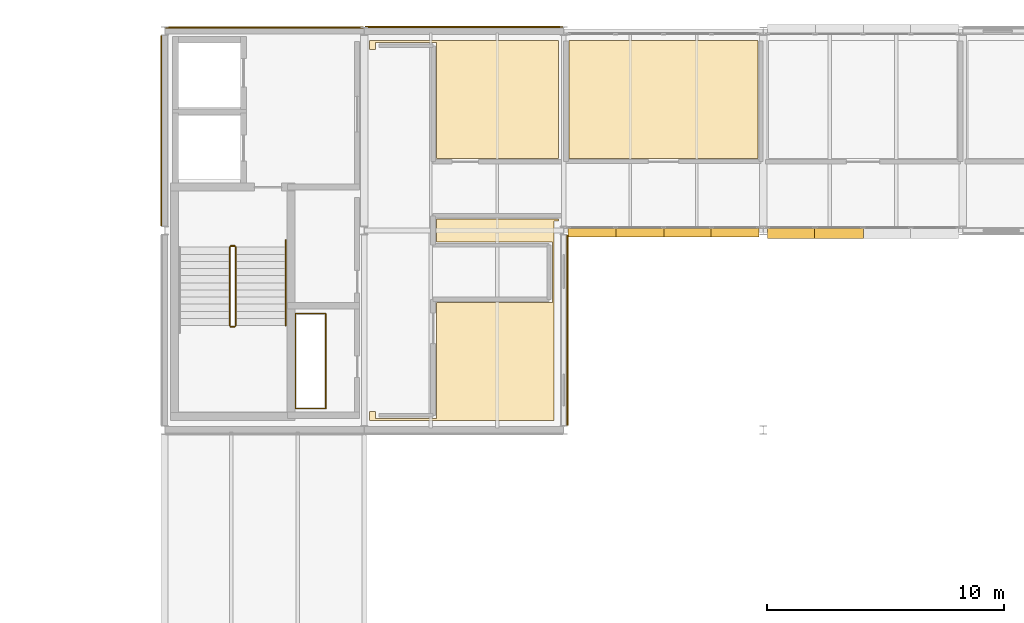
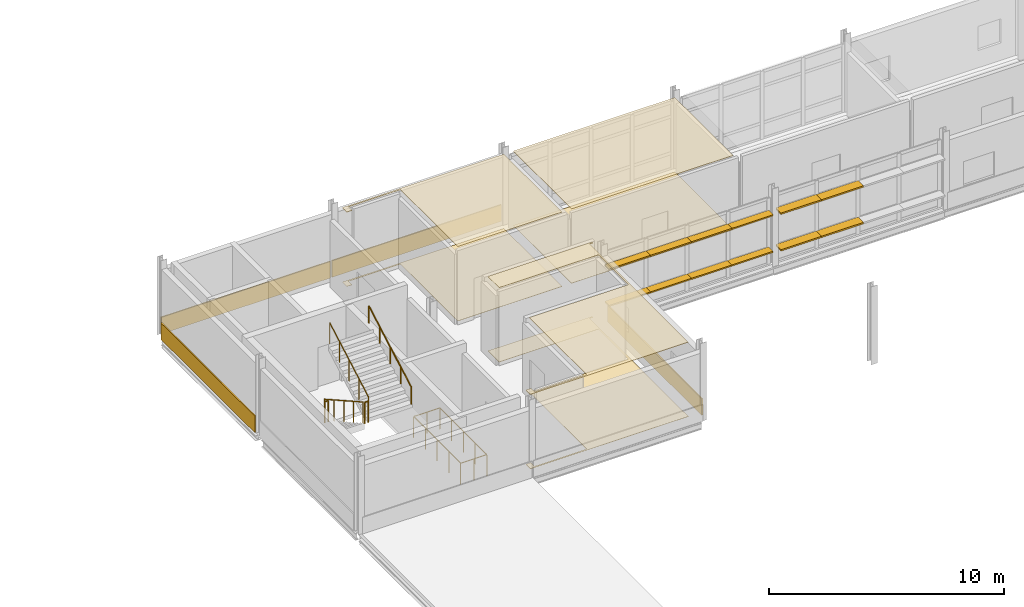
# One storey, part 59 of 66: 12 shading devices, 10 coverings, 6 railings.
"""IFC4 building model written with IfcOpenShell, lengths in metres."""

from ifc_helpers import new_model, si_unit, direction, frame, origin, origin_2d, place, context, subcontext, project, spatial, polyline, rectangle, circle, outline, extrude, material, layer, layer_set, type_object, element, save


model = new_model("IFC4")

# Units and contexts
model_context = context("Model", 3, precision=1e-05, world=origin(), true_north=direction((0.0, 1.0)))
body_context = subcontext(model_context, "Body", "Model", "MODEL_VIEW")
ifc_project = project(units=[si_unit("LENGTHUNIT", "METRE"), si_unit("AREAUNIT", "SQUARE_METRE"), si_unit("VOLUMEUNIT", "CUBIC_METRE"), si_unit("PLANEANGLEUNIT", "RADIAN"), si_unit("MASSUNIT", "GRAM", prefix="KILO")], contexts=[model_context])

# Site, building, storey
site_placement = place(None, origin())
site = spatial("IfcSite", under=ifc_project, at=site_placement, CompositionType="ELEMENT")
building_placement = place(site_placement, origin())
building = spatial("IfcBuilding", under=site, at=building_placement, Name="Mersafa Astral City Hall", CompositionType="ELEMENT")
storey_placement = place(building_placement, frame((0.0, 0.0, 22.050048828125)))
storey = spatial("IfcBuildingStorey", under=building, at=storey_placement, Name="L05", CompositionType="ELEMENT", Elevation=22.050048828125)

# Coverings
ifc_material_1 = material(Name="Cairo Mokattam buff limestone cladding", Category="masonry")
ifc_layer_1 = layer(ifc_material_1, 0.06005859375, Name="Cairo Mokattam buff limestone cladding")
ifc_layer_set_1 = layer_set([ifc_layer_1], Name="Cairo Mokattam buff limestone cladding — ENV-COV-LIMESTONE-60")
covering_type_1 = type_object("IfcCoveringType", Name="ENV-COV-LIMESTONE-60", PredefinedType="CLADDING", material=ifc_layer_set_1)
for number, where, z_axis, x_axis, name in (
    (1, (54.60009765625, 126.162109375, 0.0), (0.0, 0.0, 1.0), (-1.0, 0.0, 0.0), "L05 Cairo buff limestone rainscreen cladding 334"),
    (2, (46.199951171875, 126.154541015625, 0.0), (0.0, 0.0, 1.0), (-1.0, 0.0, 0.0), "L05 Cairo buff limestone rainscreen cladding 335"),
):
    element("IfcCovering", number, at=place(storey_placement, frame(where, z_axis=z_axis, x_axis=x_axis)), inside=storey, type_object=covering_type_1, Name=name, PredefinedType="CLADDING", context=body_context, shape_type="SweptSolid", body=[
        extrude(rectangle(XDim=8.323974609375, YDim=0.06005859375, at=origin_2d()), origin(), (0.0, 0.0, 1.0), 0.860107421875),
    ])
for number, where, z_axis, x_axis, name in (
    (3, (41.85302734375, 121.794921875, 0.0), (0.0, 0.0, 1.0), (0.0, -1.0, 0.0), "L05 Cairo buff limestone rainscreen cladding 336"),
    (4, (58.9619140625, 113.405029296875, 0.0), (0.0, 0.0, 1.0), (0.0, 1.0, 0.0), "L05 Cairo buff limestone rainscreen cladding 340"),
):
    element("IfcCovering", number, at=place(storey_placement, frame(where, z_axis=z_axis, x_axis=x_axis)), inside=storey, type_object=covering_type_1, Name=name, PredefinedType="CLADDING", context=body_context, shape_type="SweptSolid", body=[
        extrude(rectangle(XDim=7.998046875, YDim=0.06005859375, at=origin_2d()), origin(), (0.0, 0.0, 1.0), 0.860107421875),
    ])

# Shading devices
ifc_material_2 = material(Name="Kiln-dried cedar timber brise-soleil blade", Category="wood")
shading_device_type_1 = type_object("IfcShadingDeviceType", Name="ENV-SHD-LOUVRE-380", PredefinedType="JALOUSIE", material=ifc_material_2)
shading_device_1_placement = place(storey_placement, frame((59.986572265625, 117.52001953125, 0.81494140625), z_axis=(0.0, 0.0, 1.0), x_axis=(1.0, 0.0, 0.0)))
element("IfcShadingDevice", 5, at=shading_device_1_placement, inside=storey, type_object=shading_device_type_1, Name="L05 Horizontal cedar brise-soleil louvre 1484", PredefinedType="JALOUSIE", context=body_context, shape_type="SweptSolid", body=[
    extrude(rectangle(XDim=2.029052734375, YDim=0.3798828125, at=origin_2d()), origin(), (0.0, 0.0, 1.0), 0.070068359375),
])
for number, where, z_axis, x_axis, name in (
    (6, (61.990478515625, 117.52001953125, 0.81494140625), (0.0, 0.0, 1.0), (1.0, 0.0, 0.0), "L05 Horizontal cedar brise-soleil louvre 1485"),
    (7, (64.009521484375, 117.52001953125, 0.81494140625), (0.0, 0.0, 1.0), (1.0, 0.0, 0.0), "L05 Horizontal cedar brise-soleil louvre 1486"),
):
    element("IfcShadingDevice", number, at=place(storey_placement, frame(where, z_axis=z_axis, x_axis=x_axis)), inside=storey, type_object=shading_device_type_1, Name=name, PredefinedType="JALOUSIE", context=body_context, shape_type="SweptSolid", body=[
        extrude(rectangle(XDim=2.05908203125, YDim=0.3798828125, at=origin_2d()), origin(), (0.0, 0.0, 1.0), 0.070068359375),
    ])
for number, where, z_axis, x_axis, name in (
    (8, (66.013427734375, 117.52001953125, 0.81494140625), (0.0, 0.0, 1.0), (1.0, 0.0, 0.0), "L05 Horizontal cedar brise-soleil louvre 1487"),
    (9, (59.986572265625, 117.52001953125, 2.71484375), (0.0, 0.0, 1.0), (1.0, 0.0, 0.0), "L05 Horizontal cedar brise-soleil louvre 1488"),
):
    element("IfcShadingDevice", number, at=place(storey_placement, frame(where, z_axis=z_axis, x_axis=x_axis)), inside=storey, type_object=shading_device_type_1, Name=name, PredefinedType="JALOUSIE", context=body_context, shape_type="SweptSolid", body=[
        extrude(rectangle(XDim=2.029052734375, YDim=0.3798828125, at=origin_2d()), origin(), (0.0, 0.0, 1.0), 0.070068359375),
    ])
for number, where, z_axis, x_axis, name in (
    (10, (61.990478515625, 117.52001953125, 2.71484375), (0.0, 0.0, 1.0), (1.0, 0.0, 0.0), "L05 Horizontal cedar brise-soleil louvre 1489"),
    (11, (64.009521484375, 117.52001953125, 2.71484375), (0.0, 0.0, 1.0), (1.0, 0.0, 0.0), "L05 Horizontal cedar brise-soleil louvre 1490"),
):
    element("IfcShadingDevice", number, at=place(storey_placement, frame(where, z_axis=z_axis, x_axis=x_axis)), inside=storey, type_object=shading_device_type_1, Name=name, PredefinedType="JALOUSIE", context=body_context, shape_type="SweptSolid", body=[
        extrude(rectangle(XDim=2.05908203125, YDim=0.3798828125, at=origin_2d()), origin(), (0.0, 0.0, 1.0), 0.070068359375),
    ])
shading_device_2_placement = place(storey_placement, frame((66.013427734375, 117.52001953125, 2.71484375), z_axis=(0.0, 0.0, 1.0), x_axis=(1.0, 0.0, 0.0)))
element("IfcShadingDevice", 12, at=shading_device_2_placement, inside=storey, type_object=shading_device_type_1, Name="L05 Horizontal cedar brise-soleil louvre 1491", PredefinedType="JALOUSIE", context=body_context, shape_type="SweptSolid", body=[
    extrude(rectangle(XDim=2.029052734375, YDim=0.3798828125, at=origin_2d()), origin(), (0.0, 0.0, 1.0), 0.070068359375),
])
shading_device_type_2 = type_object("IfcShadingDeviceType", Name="ENV-SHD-LOUVRE-450", PredefinedType="JALOUSIE", material=ifc_material_2)
shading_device_3_placement = place(storey_placement, frame((68.386474609375, 117.485107421875, 0.809814453125), z_axis=(0.0, 0.0, 1.0), x_axis=(1.0, 0.0, 0.0)))
element("IfcShadingDevice", 13, at=shading_device_3_placement, inside=storey, type_object=shading_device_type_2, Name="L05 Horizontal cedar brise-soleil louvre 1492", PredefinedType="JALOUSIE", context=body_context, shape_type="SweptSolid", body=[
    extrude(rectangle(XDim=2.029052734375, YDim=0.449951171875, at=origin_2d()), origin(), (0.0, 0.0, 1.0), 0.080078125),
])
shading_device_4_placement = place(storey_placement, frame((70.390380859375, 117.485107421875, 0.809814453125), z_axis=(0.0, 0.0, 1.0), x_axis=(1.0, 0.0, 0.0)))
element("IfcShadingDevice", 14, at=shading_device_4_placement, inside=storey, type_object=shading_device_type_2, Name="L05 Horizontal cedar brise-soleil louvre 1493", PredefinedType="JALOUSIE", context=body_context, shape_type="SweptSolid", body=[
    extrude(rectangle(XDim=2.05908203125, YDim=0.449951171875, at=origin_2d()), origin(), (0.0, 0.0, 1.0), 0.080078125),
])
shading_device_5_placement = place(storey_placement, frame((68.386474609375, 117.485107421875, 2.7099609375), z_axis=(0.0, 0.0, 1.0), x_axis=(1.0, 0.0, 0.0)))
element("IfcShadingDevice", 15, at=shading_device_5_placement, inside=storey, type_object=shading_device_type_2, Name="L05 Horizontal cedar brise-soleil louvre 1496", PredefinedType="JALOUSIE", context=body_context, shape_type="SweptSolid", body=[
    extrude(rectangle(XDim=2.029052734375, YDim=0.449951171875, at=origin_2d()), origin(), (0.0, 0.0, 1.0), 0.080078125),
])
shading_device_6_placement = place(storey_placement, frame((70.390380859375, 117.485107421875, 2.7099609375), z_axis=(0.0, 0.0, 1.0), x_axis=(1.0, 0.0, 0.0)))
element("IfcShadingDevice", 16, at=shading_device_6_placement, inside=storey, type_object=shading_device_type_2, Name="L05 Horizontal cedar brise-soleil louvre 1497", PredefinedType="JALOUSIE", context=body_context, shape_type="SweptSolid", body=[
    extrude(rectangle(XDim=2.05908203125, YDim=0.449951171875, at=origin_2d()), origin(), (0.0, 0.0, 1.0), 0.080078125),
])

# Railings
ifc_material_3 = material(Name="Painted architectural steel stair guard balustrade", Category="steel")
railing_type_1 = type_object("IfcRailingType", Name="GUARD-RAIL", PredefinedType="BALUSTRADE", material=ifc_material_3)
railing_1_placement = place(storey_placement, frame((44.72998046875, 116.89990234375, 0.168701171875)))
element("IfcRailing", 17, at=railing_1_placement, inside=storey, type_object=railing_type_1, Name="L05 ST3 stair guard 1", PredefinedType="BALUSTRADE", context=body_context, shape_type="SweptSolid", body=[
    extrude(circle(Radius=0.02392578125, at=origin_2d()), frame((0.0, 0.0, 1.09619140625), z_axis=(0.0, -0.871568648517, 0.490273485845), x_axis=(1.0, 0.0, 0.0)), (0.0, 0.0, 1.0), 3.7861328125),
    extrude(circle(Radius=0.02099609375, at=origin_2d()), origin(), (0.0, 0.0, 1.0), 1.072021484375),
    extrude(circle(Radius=0.02099609375, at=origin_2d()), frame((0.0, -0.824951171875, 0.464111328125)), (0.0, 0.0, 1.0), 1.072021484375),
    extrude(circle(Radius=0.02099609375, at=origin_2d()), frame((0.0, -1.64990234375, 0.92822265625)), (0.0, 0.0, 1.0), 1.072021484375),
    extrude(circle(Radius=0.02099609375, at=origin_2d()), frame((0.0, -2.474853515625, 1.39208984375)), (0.0, 0.0, 1.0), 1.072021484375),
    extrude(circle(Radius=0.02099609375, at=origin_2d()), frame((0.0, -3.2998046875, 1.856201171875)), (0.0, 0.0, 1.0), 1.072021484375),
])
railing_2_placement = place(storey_placement, frame((44.780029296875, 113.550048828125, 2.02490234375)))
element("IfcRailing", 18, at=railing_2_placement, inside=storey, type_object=railing_type_1, Name="L05 ST3 stair guard 2", PredefinedType="BALUSTRADE", context=body_context, shape_type="SweptSolid", body=[
    extrude(circle(Radius=0.02392578125, at=origin_2d()), frame((0.0, 0.0, 1.09619140625), z_axis=(1.0, 0.0, 0.0), x_axis=(0.0, 1.0, 0.0)), (0.0, 0.0, 1.0), 0.159912109375),
    extrude(circle(Radius=0.02099609375, at=origin_2d()), origin(), (0.0, 0.0, 1.0), 1.072021484375),
    extrude(circle(Radius=0.02099609375, at=origin_2d()), frame((0.159912109375, 0.0, 0.0)), (0.0, 0.0, 1.0), 1.072021484375),
])
railing_3_placement = place(storey_placement, frame((44.989990234375, 113.60009765625, 2.193603515625)))
element("IfcRailing", 19, at=railing_3_placement, inside=storey, type_object=railing_type_1, Name="L05 ST3 stair guard 3", PredefinedType="BALUSTRADE", context=body_context, shape_type="SweptSolid", body=[
    extrude(circle(Radius=0.02392578125, at=origin_2d()), frame((0.0, 0.0, 1.09619140625), z_axis=(0.0, 0.871541093455, 0.490322467789), x_axis=(-1.0, 0.0, 0.0)), (0.0, 0.0, 1.0), 3.7861328125),
    extrude(circle(Radius=0.02099609375, at=origin_2d()), origin(), (0.0, 0.0, 1.0), 1.072021484375),
    extrude(circle(Radius=0.02099609375, at=origin_2d()), frame((0.0, 0.824951171875, 0.464111328125)), (0.0, 0.0, 1.0), 1.072021484375),
    extrude(circle(Radius=0.02099609375, at=origin_2d()), frame((0.0, 1.64990234375, 0.92822265625)), (0.0, 0.0, 1.0), 1.072021484375),
    extrude(circle(Radius=0.02099609375, at=origin_2d()), frame((0.0, 2.474853515625, 1.392333984375)), (0.0, 0.0, 1.0), 1.072021484375),
    extrude(circle(Radius=0.02099609375, at=origin_2d()), frame((0.0, 3.2998046875, 1.8564453125)), (0.0, 0.0, 1.0), 1.072021484375),
])
railing_4_placement = place(storey_placement, frame((44.780029296875, 116.949951171875, 0.0)))
element("IfcRailing", 20, at=railing_4_placement, inside=storey, type_object=railing_type_1, Name="L05 ST3 stair guard 4", PredefinedType="BALUSTRADE", context=body_context, shape_type="SweptSolid", body=[
    extrude(circle(Radius=0.02392578125, at=origin_2d()), frame((0.0, 0.0, 1.09619140625), z_axis=(1.0, 0.0, 0.0), x_axis=(0.0, 1.0, 0.0)), (0.0, 0.0, 1.0), 0.159912109375),
    extrude(circle(Radius=0.02099609375, at=origin_2d()), origin(), (0.0, 0.0, 1.0), 1.072021484375),
    extrude(circle(Radius=0.02099609375, at=origin_2d()), frame((0.159912109375, 0.0, 0.0)), (0.0, 0.0, 1.0), 1.072021484375),
])
railing_5_placement = place(storey_placement, frame((47.5, 110.10009765625, 0.0)))
element("IfcRailing", 21, at=railing_5_placement, inside=storey, type_object=railing_type_1, Name="L05 K3 MEP Riser Shaft Guard", PredefinedType="BALUSTRADE", context=body_context, shape_type="SweptSolid", body=[
    extrude(circle(Radius=0.02392578125, at=origin_2d()), frame((0.0, 0.0, 1.09619140625), z_axis=(1.0, 0.0, 0.0), x_axis=(0.0, 1.0, 0.0)), (0.0, 0.0, 1.0), 1.280029296875),
    extrude(circle(Radius=0.02392578125, at=origin_2d()), frame((1.280029296875, 0.0, 1.09619140625), z_axis=(0.0, 1.0, 0.0), x_axis=(-1.0, 0.0, 0.0)), (0.0, 0.0, 1.0), 4.0),
    extrude(circle(Radius=0.02392578125, at=origin_2d()), frame((1.280029296875, 4.0, 1.09619140625), z_axis=(-1.0, 0.0, 0.0), x_axis=(0.0, -1.0, 0.0)), (0.0, 0.0, 1.0), 1.280029296875),
    extrude(circle(Radius=0.02392578125, at=origin_2d()), frame((0.0, 4.0, 1.09619140625), z_axis=(0.0, -1.0, 0.0), x_axis=(1.0, 0.0, 0.0)), (0.0, 0.0, 1.0), 4.0),
    extrude(circle(Radius=0.02099609375, at=origin_2d()), origin(), (0.0, 0.0, 1.0), 1.072021484375),
    extrude(circle(Radius=0.02099609375, at=origin_2d()), frame((0.64013671875, 0.0, 0.0)), (0.0, 0.0, 1.0), 1.072021484375),
    extrude(circle(Radius=0.02099609375, at=origin_2d()), frame((1.280029296875, 0.0, 0.0)), (0.0, 0.0, 1.0), 1.072021484375),
    extrude(circle(Radius=0.02099609375, at=origin_2d()), frame((1.280029296875, 1.0, 0.0)), (0.0, 0.0, 1.0), 1.072021484375),
    extrude(circle(Radius=0.02099609375, at=origin_2d()), frame((1.280029296875, 2.0, 0.0)), (0.0, 0.0, 1.0), 1.072021484375),
    extrude(circle(Radius=0.02099609375, at=origin_2d()), frame((1.280029296875, 3.0, 0.0)), (0.0, 0.0, 1.0), 1.072021484375),
    extrude(circle(Radius=0.02099609375, at=origin_2d()), frame((1.280029296875, 4.0, 0.0)), (0.0, 0.0, 1.0), 1.072021484375),
    extrude(circle(Radius=0.02099609375, at=origin_2d()), frame((0.64013671875, 4.0, 0.0)), (0.0, 0.0, 1.0), 1.072021484375),
    extrude(circle(Radius=0.02099609375, at=origin_2d()), frame((0.0, 4.0, 0.0)), (0.0, 0.0, 1.0), 1.072021484375),
    extrude(circle(Radius=0.02099609375, at=origin_2d()), frame((0.0, 3.0, 0.0)), (0.0, 0.0, 1.0), 1.072021484375),
    extrude(circle(Radius=0.02099609375, at=origin_2d()), frame((0.0, 2.0, 0.0)), (0.0, 0.0, 1.0), 1.072021484375),
    extrude(circle(Radius=0.02099609375, at=origin_2d()), frame((0.0, 1.0, 0.0)), (0.0, 0.0, 1.0), 1.072021484375),
])
ifc_material_4 = material(Name="Brushed stainless steel tubular handrail", Category="steel")
railing_type_2 = type_object("IfcRailingType", Name="HANDRAIL", PredefinedType="HANDRAIL", material=ifc_material_4)
railing_6_placement = place(storey_placement, frame((47.090087890625, 113.60009765625, 2.193603515625)))
element("IfcRailing", 22, at=railing_6_placement, inside=storey, type_object=railing_type_2, Name="L05 ST3 stair handrail 2", PredefinedType="HANDRAIL", context=body_context, shape_type="SweptSolid", body=[
    extrude(circle(Radius=0.02392578125, at=origin_2d()), frame((0.0, 0.0, 0.8759765625), z_axis=(0.0, 0.871248695433, 0.49084183879), x_axis=(-1.0, 0.0, 0.0)), (0.0, 0.0, 1.0), 4.1318359375),
    extrude(circle(Radius=0.02099609375, at=origin_2d()), origin(), (0.0, 0.0, 1.0), 0.851806640625),
    extrude(circle(Radius=0.02099609375, at=origin_2d()), frame((0.0, 0.89990234375, 0.507080078125)), (0.0, 0.0, 1.0), 0.851806640625),
    extrude(circle(Radius=0.02099609375, at=origin_2d()), frame((0.0, 1.7998046875, 1.01416015625)), (0.0, 0.0, 1.0), 0.851806640625),
    extrude(circle(Radius=0.02099609375, at=origin_2d()), frame((0.0, 2.699951171875, 1.52099609375)), (0.0, 0.0, 1.0), 0.851806640625),
    extrude(circle(Radius=0.02099609375, at=origin_2d()), frame((0.0, 3.599853515625, 2.028076171875)), (0.0, 0.0, 1.0), 0.851806640625),
])

# Coverings
ifc_material_5 = material(Name="Perforated acoustic gypsum board ceiling", Category="gypsum")
ifc_layer_2 = layer(ifc_material_5, 0.02490234375, Name="Perforated acoustic gypsum board ceiling")
ifc_layer_set_2 = layer_set([ifc_layer_2], Name="Perforated acoustic gypsum board ceiling — INT-COV-CEIL-25")
covering_type_2 = type_object("IfcCoveringType", Name="INT-COV-CEIL-25", PredefinedType="CEILING", material=ifc_layer_set_2)
covering_1_placement = place(storey_placement, frame((0.0, 0.0, 3.85595703125)))
element("IfcCovering", 23, at=covering_1_placement, inside=storey, type_object=covering_type_2, Name="L05 Deputy Mayor Executive Suite L05-02 acoustic ceiling", PredefinedType="CEILING", context=body_context, shape_type="SweptSolid", body=[
    extrude(outline(polyline([(59.030029296875, 120.639892578125), (59.030029296875, 125.60009765625), (66.969970703125, 125.60009765625), (66.969970703125, 120.639892578125), (59.030029296875, 120.639892578125)])), origin(), (0.0, 0.0, 1.0), 0.02490234375),
])
covering_2_placement = place(storey_placement, frame((0.0, 0.0, 3.85595703125)))
element("IfcCovering", 24, at=covering_2_placement, inside=storey, type_object=covering_type_2, Name="L05 Capital Budget Review Room L05-11 acoustic ceiling", PredefinedType="CEILING", context=body_context, shape_type="SweptSolid", body=[
    extrude(outline(polyline([(50.6298828125, 109.97998046875), (50.8798828125, 109.97998046875), (50.8798828125, 109.679931640625), (53.43994140625, 109.679931640625), (53.43994140625, 114.56005859375), (58.320068359375, 114.56005859375), (58.320068359375, 117.1201171875), (53.43994140625, 117.1201171875), (53.43994140625, 118.080078125), (58.570068359375, 118.080078125), (58.570068359375, 118.0), (58.39990234375, 118.0), (58.39990234375, 109.60009765625), (50.6298828125, 109.60009765625), (50.6298828125, 109.97998046875)])), origin(), (0.0, 0.0, 1.0), 0.02490234375),
])
covering_3_placement = place(storey_placement, frame((0.0, 0.0, 3.85595703125)))
element("IfcCovering", 25, at=covering_3_placement, inside=storey, type_object=covering_type_2, Name="L05 Capital Budget Review Room L05-18 acoustic ceiling", PredefinedType="CEILING", context=body_context, shape_type="SweptSolid", body=[
    extrude(outline(polyline([(53.43994140625, 120.639892578125), (53.43994140625, 125.52001953125), (50.8798828125, 125.52001953125), (50.8798828125, 125.219970703125), (50.6298828125, 125.219970703125), (50.6298828125, 125.60009765625), (58.570068359375, 125.60009765625), (58.570068359375, 120.639892578125), (53.43994140625, 120.639892578125)])), origin(), (0.0, 0.0, 1.0), 0.02490234375),
])
ifc_material_6 = material(Name="Heavy-duty woven acoustic carpet tile", Category="finish")
ifc_layer_3 = layer(ifc_material_6, 0.014892578125, Name="Heavy-duty woven acoustic carpet tile")
ifc_layer_set_3 = layer_set([ifc_layer_3], Name="Heavy-duty woven acoustic carpet tile — INT-COV-FLR-15")
covering_type_3 = type_object("IfcCoveringType", Name="INT-COV-FLR-15", PredefinedType="FLOORING", material=ifc_layer_set_3)
covering_4_placement = place(storey_placement, frame((0.0, 0.0, -0.00146484375)))
element("IfcCovering", 26, at=covering_4_placement, inside=storey, type_object=covering_type_3, Name="L05 Deputy Mayor Executive Suite L05-02 architectural flooring", PredefinedType="FLOORING", context=body_context, shape_type="SweptSolid", body=[
    extrude(outline(polyline([(59.030029296875, 120.639892578125), (59.030029296875, 125.60009765625), (66.969970703125, 125.60009765625), (66.969970703125, 120.639892578125), (59.030029296875, 120.639892578125)])), origin(), (0.0, 0.0, 1.0), 0.014892578125),
])
covering_5_placement = place(storey_placement, frame((0.0, 0.0, -0.00146484375)))
element("IfcCovering", 27, at=covering_5_placement, inside=storey, type_object=covering_type_3, Name="L05 Capital Budget Review Room L05-11 architectural flooring", PredefinedType="FLOORING", context=body_context, shape_type="SweptSolid", body=[
    extrude(outline(polyline([(50.6298828125, 109.97998046875), (50.8798828125, 109.97998046875), (50.8798828125, 109.679931640625), (53.43994140625, 109.679931640625), (53.43994140625, 114.56005859375), (58.320068359375, 114.56005859375), (58.320068359375, 117.1201171875), (53.43994140625, 117.1201171875), (53.43994140625, 118.080078125), (58.570068359375, 118.080078125), (58.570068359375, 118.0), (58.39990234375, 118.0), (58.39990234375, 109.60009765625), (50.6298828125, 109.60009765625), (50.6298828125, 109.97998046875)])), origin(), (0.0, 0.0, 1.0), 0.014892578125),
])
covering_6_placement = place(storey_placement, frame((0.0, 0.0, -0.00146484375)))
element("IfcCovering", 28, at=covering_6_placement, inside=storey, type_object=covering_type_3, Name="L05 Capital Budget Review Room L05-18 architectural flooring", PredefinedType="FLOORING", context=body_context, shape_type="SweptSolid", body=[
    extrude(outline(polyline([(53.43994140625, 120.639892578125), (53.43994140625, 125.52001953125), (50.8798828125, 125.52001953125), (50.8798828125, 125.219970703125), (50.6298828125, 125.219970703125), (50.6298828125, 125.60009765625), (58.570068359375, 125.60009765625), (58.570068359375, 120.639892578125), (53.43994140625, 120.639892578125)])), origin(), (0.0, 0.0, 1.0), 0.014892578125),
])

save(model, "model.ifc")
